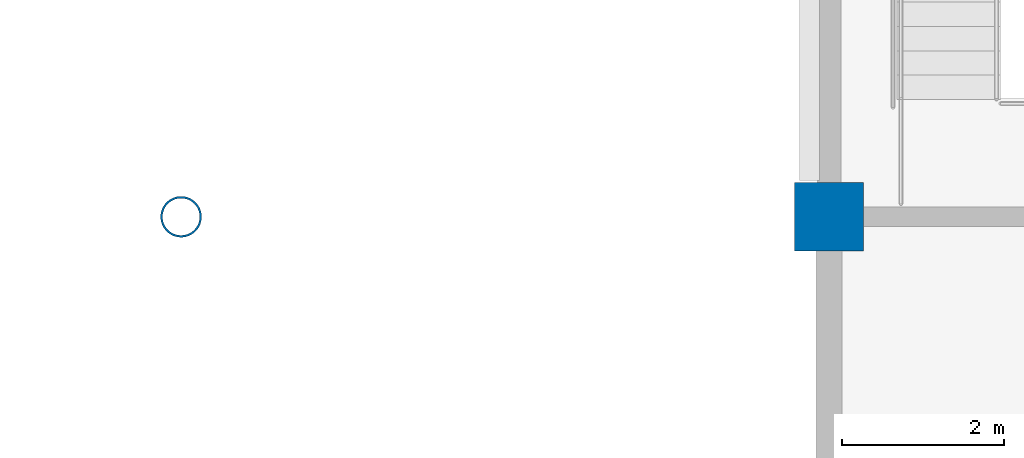
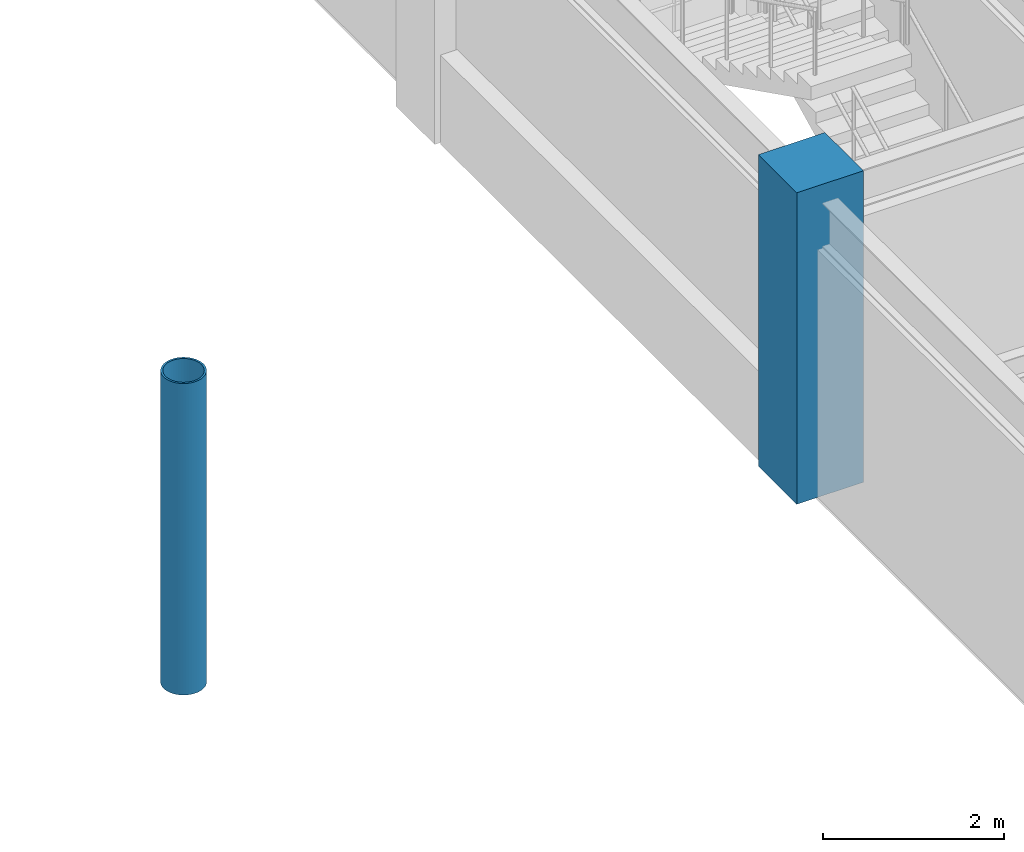
# One storey, part 4 of 78: 2 columns.
"""IFC4 building model written with IfcOpenShell, lengths in metres."""

from ifc_helpers import new_model, si_unit, direction, frame, origin, origin_2d, place, context, subcontext, project, spatial, rectangle, hollow_circle, extrude, material, material_profile, profile_set, type_object, element, save


model = new_model("IFC4")

# Units and contexts
model_context = context("Model", 3, precision=1e-05, world=origin(), true_north=direction((0.0, 1.0)))
body_context = subcontext(model_context, "Body", "Model", "MODEL_VIEW")
ifc_project = project(units=[si_unit("LENGTHUNIT", "METRE"), si_unit("AREAUNIT", "SQUARE_METRE"), si_unit("VOLUMEUNIT", "CUBIC_METRE"), si_unit("PLANEANGLEUNIT", "RADIAN"), si_unit("MASSUNIT", "GRAM", prefix="KILO")], contexts=[model_context])

# Site, building, storey
site_placement = place(None, origin())
site = spatial("IfcSite", under=ifc_project, at=site_placement, CompositionType="ELEMENT")
building_placement = place(site_placement, origin())
building = spatial("IfcBuilding", under=site, at=building_placement, Name="Haebicheon Civic Stadium", CompositionType="ELEMENT")
storey_placement = place(building_placement, frame((0.0, 0.0, 18.60009765625)))
storey = spatial("IfcBuildingStorey", under=building, at=storey_placement, Name="L05", CompositionType="ELEMENT", Elevation=18.60009765625)

# Columns
ifc_material_1 = material(Name="Concrete C40/50", Category="concrete")
ifc_material_profile_1 = material_profile(ifc_material_1, rectangle(XDim=0.85009765625, YDim=0.85009765625, at=origin_2d()), Name="RC-COL-850x850")
ifc_profile_set_1 = profile_set([ifc_material_profile_1], Name="Concrete C40/50")
column_type_1 = type_object("IfcColumnType", Name="COL-RC-850", PredefinedType="COLUMN", material=ifc_profile_set_1)
column_1_placement = place(storey_placement, frame((144.0, 64.0, 0.0), z_axis=(0.0, 0.0, 1.0), x_axis=(1.0, 0.0, 0.0)))
element("IfcColumn", 1, at=column_1_placement, inside=storey, type_object=column_type_1, material=ifc_profile_set_1, Name="L05 column 19/J", PredefinedType="COLUMN", context=body_context, shape_type="SweptSolid", body=[
    extrude(rectangle(XDim=0.85009765625, YDim=0.85009765625, at=origin_2d()), origin(), (0.0, 0.0, 1.0), 4.199951171875),
])
ifc_material_2 = material(Name="White painted steel SM490", Category="steel")
ifc_material_profile_2 = material_profile(ifc_material_2, hollow_circle(Radius=0.25390625, WallThickness=0.02490234375, at=origin_2d()), Name="CHS-508.0x25.0")
ifc_profile_set_2 = profile_set([ifc_material_profile_2], Name="White painted steel SM490")
column_type_2 = type_object("IfcColumnType", Name="COL-ST-CHS508", PredefinedType="COLUMN", material=ifc_profile_set_2)
column_2_placement = place(storey_placement, frame((136.0, 64.0, 0.0), z_axis=(0.0, 0.0, 1.0), x_axis=(1.0, 0.0, 0.0)))
element("IfcColumn", 2, at=column_2_placement, inside=storey, type_object=column_type_2, material=ifc_profile_set_2, Name="Bowl/canopy support column 136/64 (L05)", PredefinedType="COLUMN", context=body_context, shape_type="SweptSolid", body=[
    extrude(hollow_circle(Radius=0.25390625, WallThickness=0.02490234375, at=origin_2d()), origin(), (0.0, 0.0, 1.0), 4.199951171875),
])

save(model, "model.ifc")
